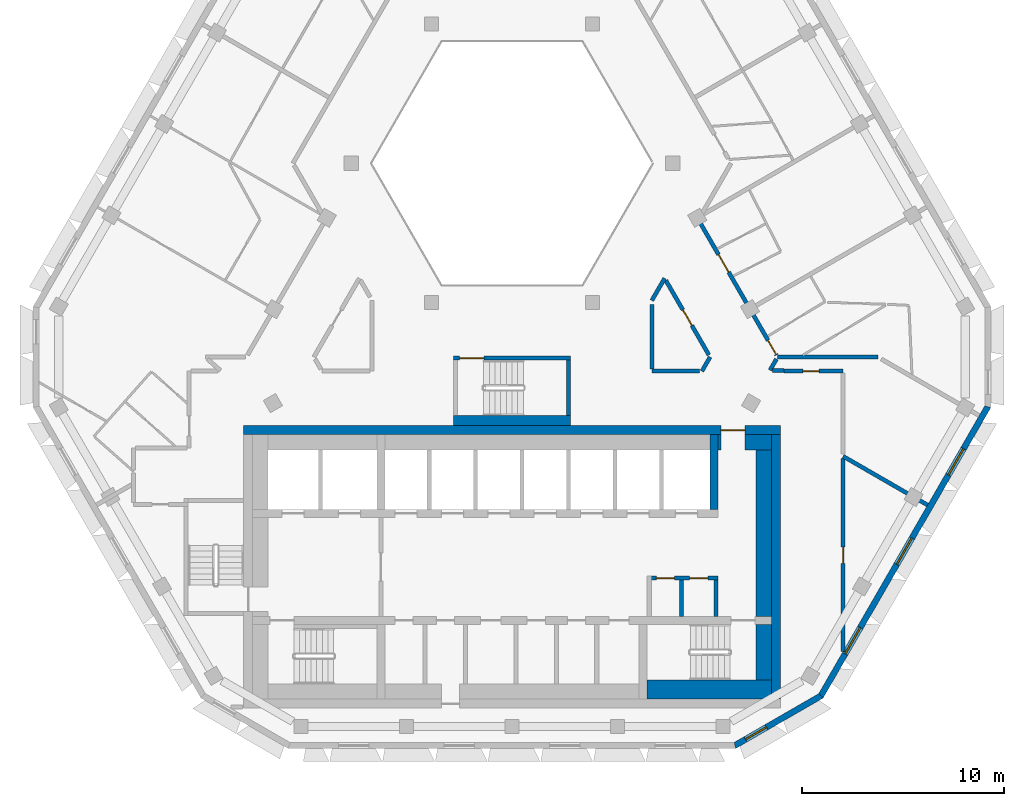
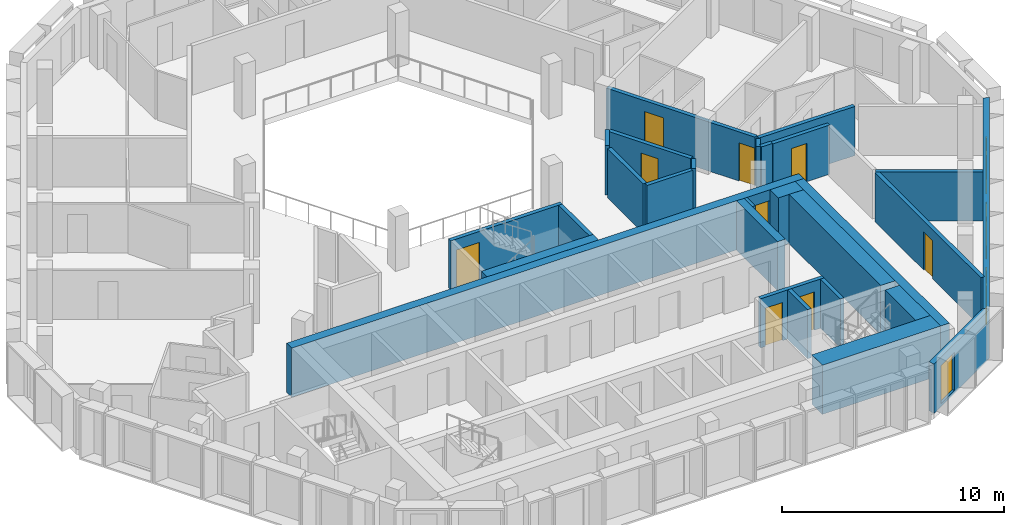
# One storey, part 5 of 14: 28 walls, 9 doors, 4 windows, 13 openings.
"""IFC4 building model written with IfcOpenShell, lengths in metres."""

from ifc_helpers import new_model, si_unit, direction, frame, frame_2d, origin, place, context, subcontext, project, spatial, polyline, rectangle, outline, extrude, material, layer, layer_set, type_object, element, fill, save


model = new_model("IFC4")

# Units and contexts
model_context = context("Model", 3, precision=1e-05, world=origin(), true_north=direction((0.0, 1.0)))
body_context = subcontext(model_context, "Body", "Model", "MODEL_VIEW")
ifc_project = project(units=[si_unit("LENGTHUNIT", "METRE"), si_unit("AREAUNIT", "SQUARE_METRE"), si_unit("VOLUMEUNIT", "CUBIC_METRE"), si_unit("PLANEANGLEUNIT", "RADIAN"), si_unit("MASSUNIT", "GRAM", prefix="KILO")], contexts=[model_context])

# Site, building, storey
site_placement = place(None, origin())
site = spatial("IfcSite", under=ifc_project, at=site_placement, CompositionType="ELEMENT")
building_placement = place(site_placement, origin())
building = spatial("IfcBuilding", under=site, at=building_placement, Name="Beryl Residences", CompositionType="ELEMENT")
storey_placement = place(building_placement, frame((0.0, 0.0, 229.800048828125)))
storey = spatial("IfcBuildingStorey", under=building, at=storey_placement, Name="L71", CompositionType="ELEMENT", Elevation=229.800048828125)

# Wall, opening, window
ifc_material_1 = material(Name="Composite metal panel with mineral wool insulation")
ifc_layer_1 = layer(ifc_material_1, 0.300048828125)
ifc_layer_set_1 = layer_set([ifc_layer_1], Name="ES1 pale metal composite panel wall 300 mm")
wall_type_1 = type_object("IfcWallType", Name="ES1 pale metal composite panel wall 300 mm", PredefinedType="SOLIDWALL", material=ifc_layer_set_1)
wall_1_placement = place(storey_placement, frame((11.010009765625, -20.8701171875, 0.0), z_axis=(0.0, 0.0, 1.0), x_axis=(0.866022959057, 0.500004234368, 0.0)))
wall_1 = element("IfcWall", 1, at=wall_1_placement, inside=storey, type_object=wall_type_1, Name="ES1 external wall L71 S-SE", PredefinedType="SOLIDWALL", context=body_context, shape_type="SweptSolid", body=[
    extrude(outline(polyline([(0.0, -0.14990234375), (5.0, -0.14990234375), (4.919677734375, 0.14990234375), (0.080322265625, 0.14990234375), (0.0, -0.14990234375)])), origin(), (0.0, 0.0, 1.0), 2.699951171875),
])
opening_1_placement = place(wall_1_placement, frame((0.64990234375, 0.0, 0.14990234375)))
opening_1 = element("IfcOpeningElement", 2, at=opening_1_placement, cuts=wall_1, Name="Opening W2", PredefinedType="OPENING", context=body_context, shape_type="SweptSolid", body=[
    extrude(rectangle(XDim=1.199951171875, YDim=2.10009765625, at=frame_2d((0.60009765625, 1.050048828125))), frame((0.0, 0.159912109375, 0.0), z_axis=(0.0, -1.0, 0.0), x_axis=(1.0, 0.0, 0.0)), (0.0, 0.0, 1.0), 0.320068359375),
])
ifc_material_2 = material(Name="Aluminium and clear glass", Category="aluminium")
window_type_1 = type_object("IfcWindowType", Name="W2 chamfer window 1200 x 2100 mm", PartitioningType="SINGLE_PANEL", PredefinedType="WINDOW", material=ifc_material_2)
window_1_placement = place(opening_1_placement, origin())
window_1 = element("IfcWindow", 3, at=window_1_placement, inside=storey, type_object=window_type_1, Name="W2 window L71 S-SE 1", OverallHeight=2.10009765625, OverallWidth=1.199951171875, PartitioningType="SINGLE_PANEL", PredefinedType="WINDOW", context=body_context, shape_type="SweptSolid", body=[
    extrude(rectangle(XDim=1.199951171875, YDim=2.10009765625, at=frame_2d((0.60009765625, 1.050048828125))), frame((0.0, 0.030029296875, 0.0), z_axis=(0.0, -1.0, 0.0), x_axis=(1.0, 0.0, 0.0)), (0.0, 0.0, 1.0), 0.06005859375),
])
fill(opening_1, window_1)

# Wall, openings, windows
wall_2_placement = place(storey_placement, frame((15.284912109375, -18.425048828125, 0.0), z_axis=(0.0, 0.0, 1.0), x_axis=(0.500012653391, 0.866018098222, 0.0)))
wall_2 = element("IfcWall", 4, at=wall_2_placement, inside=storey, type_object=wall_type_1, Name="ES1 external wall L71 SE", PredefinedType="SOLIDWALL", context=body_context, shape_type="SweptSolid", body=[
    extrude(outline(polyline([(0.0, -0.14990234375), (16.6279296875, -0.14990234375), (16.547607421875, 0.14990234375), (0.080322265625, 0.14990234375), (0.0, -0.14990234375)])), origin(), (0.0, 0.0, 1.0), 2.699951171875),
])
opening_2_placement = place(wall_2_placement, frame((2.444091796875, 0.0, 0.14990234375)))
opening_2 = element("IfcOpeningElement", 5, at=opening_2_placement, cuts=wall_2, Name="Opening W1", PredefinedType="OPENING", context=body_context, shape_type="SweptSolid", body=[
    extrude(rectangle(XDim=1.5, YDim=2.10009765625, at=frame_2d((0.75, 1.050048828125))), frame((0.0, 0.159912109375, 0.0), z_axis=(0.0, -1.0, 0.0), x_axis=(1.0, 0.0, 0.0)), (0.0, 0.0, 1.0), 0.320068359375),
])
opening_3_placement = place(wall_2_placement, frame((7.56396484375, 0.0, 0.14990234375)))
opening_3 = element("IfcOpeningElement", 6, at=opening_3_placement, cuts=wall_2, Name="Opening W1", PredefinedType="OPENING", context=body_context, shape_type="SweptSolid", body=[
    extrude(rectangle(XDim=1.5, YDim=2.10009765625, at=frame_2d((0.75, 1.050048828125))), frame((0.0, 0.159912109375, 0.0), z_axis=(0.0, -1.0, 0.0), x_axis=(1.0, 0.0, 0.0)), (0.0, 0.0, 1.0), 0.320068359375),
])
opening_4_placement = place(wall_2_placement, frame((12.681884765625, 0.0, 0.14990234375)))
opening_4 = element("IfcOpeningElement", 7, at=opening_4_placement, cuts=wall_2, Name="Opening W1", PredefinedType="OPENING", context=body_context, shape_type="SweptSolid", body=[
    extrude(rectangle(XDim=1.5, YDim=2.10009765625, at=frame_2d((0.75, 1.050048828125))), frame((0.0, 0.159912109375, 0.0), z_axis=(0.0, -1.0, 0.0), x_axis=(1.0, 0.0, 0.0)), (0.0, 0.0, 1.0), 0.320068359375),
])
ifc_material_3 = material(Name="Aluminium and clear glass", Category="aluminium")
window_type_2 = type_object("IfcWindowType", Name="W1 cell window 1500 x 2100 mm", PartitioningType="SINGLE_PANEL", PredefinedType="WINDOW", material=ifc_material_3)
window_2_placement = place(opening_2_placement, origin())
window_2 = element("IfcWindow", 8, at=window_2_placement, inside=storey, type_object=window_type_2, Name="W1 window L71 SE 2", OverallHeight=2.10009765625, OverallWidth=1.5, PartitioningType="SINGLE_PANEL", PredefinedType="WINDOW", context=body_context, shape_type="SweptSolid", body=[
    extrude(rectangle(XDim=1.5, YDim=2.10009765625, at=frame_2d((0.75, 1.050048828125))), frame((0.0, 0.030029296875, 0.0), z_axis=(0.0, -1.0, 0.0), x_axis=(1.0, 0.0, 0.0)), (0.0, 0.0, 1.0), 0.06005859375),
])
fill(opening_2, window_2)
window_3_placement = place(opening_3_placement, origin())
window_3 = element("IfcWindow", 9, at=window_3_placement, inside=storey, type_object=window_type_2, Name="W1 window L71 SE 4", OverallHeight=2.10009765625, OverallWidth=1.5, PartitioningType="SINGLE_PANEL", PredefinedType="WINDOW", context=body_context, shape_type="SweptSolid", body=[
    extrude(rectangle(XDim=1.5, YDim=2.10009765625, at=frame_2d((0.75, 1.050048828125))), frame((0.0, 0.030029296875, 0.0), z_axis=(0.0, -1.0, 0.0), x_axis=(1.0, 0.0, 0.0)), (0.0, 0.0, 1.0), 0.06005859375),
])
fill(opening_3, window_3)
window_4_placement = place(opening_4_placement, origin())
window_4 = element("IfcWindow", 10, at=window_4_placement, inside=storey, type_object=window_type_2, Name="W1 window L71 SE 6", OverallHeight=2.10009765625, OverallWidth=1.5, PartitioningType="SINGLE_PANEL", PredefinedType="WINDOW", context=body_context, shape_type="SweptSolid", body=[
    extrude(rectangle(XDim=1.5, YDim=2.10009765625, at=frame_2d((0.75, 1.050048828125))), frame((0.0, 0.030029296875, 0.0), z_axis=(0.0, -1.0, 0.0), x_axis=(1.0, 0.0, 0.0)), (0.0, 0.0, 1.0), 0.06005859375),
])
fill(opening_4, window_4)

# Wall, openings, doors
ifc_material_4 = material(Name="Concrete masonry", Category="masonry")
ifc_layer_2 = layer(ifc_material_4, 0.199951171875)
ifc_layer_set_2 = layer_set([ifc_layer_2], Name="PT13 lobby wall 200 mm")
wall_type_2 = type_object("IfcWallType", Name="PT13 lobby wall 200 mm", PredefinedType="PARTITIONING", material=ifc_layer_set_2)
wall_3_placement = place(storey_placement, frame((6.89990234375, -12.550048828125, 0.0), z_axis=(0.0, 0.0, 1.0), x_axis=(1.0, 0.0, 0.0)))
wall_3 = element("IfcWall", 11, at=wall_3_placement, inside=storey, type_object=wall_type_2, Name="Lobby wall 28", PredefinedType="PARTITIONING", context=body_context, shape_type="SweptSolid", body=[
    extrude(rectangle(XDim=3.300048828125, YDim=0.199951171875, at=frame_2d((1.64990234375, 0.0))), origin(), (0.0, 0.0, 1.0), 2.699951171875),
])
opening_5_placement = place(wall_3_placement, frame((1.14990234375, 0.0, 0.0), z_axis=(0.0, 0.0, 1.0), x_axis=(-1.0, 0.0, 0.0)))
opening_5 = element("IfcOpeningElement", 12, at=opening_5_placement, cuts=wall_3, Name="Opening CD-D-A1-900", PredefinedType="OPENING", context=body_context, shape_type="SweptSolid", body=[
    extrude(rectangle(XDim=0.89990234375, YDim=2.10009765625, at=frame_2d((0.449951171875, 1.050048828125))), frame((0.0, 0.10986328125, 0.0), z_axis=(0.0, -1.0, 0.0), x_axis=(1.0, 0.0, 0.0)), (0.0, 0.0, 1.0), 0.219970703125),
])
opening_6_placement = place(wall_3_placement, frame((2.7998046875, 0.0, 0.0), z_axis=(0.0, 0.0, 1.0), x_axis=(-1.0, 0.0, 0.0)))
opening_6 = element("IfcOpeningElement", 13, at=opening_6_placement, cuts=wall_3, Name="Opening CD-D-A2-900", PredefinedType="OPENING", context=body_context, shape_type="SweptSolid", body=[
    extrude(rectangle(XDim=0.89990234375, YDim=2.10009765625, at=frame_2d((0.449951171875, 1.050048828125))), frame((0.0, 0.10986328125, 0.0), z_axis=(0.0, -1.0, 0.0), x_axis=(1.0, 0.0, 0.0)), (0.0, 0.0, 1.0), 0.219970703125),
])
ifc_material_5 = material(Name="Steel door leaf in steel frame", Category="steel")
door_type_1 = type_object("IfcDoorType", Name="D6 service room door 900 x 2100 mm", OperationType="SINGLE_SWING_LEFT", PredefinedType="DOOR", material=ifc_material_5)
door_1_placement = place(opening_5_placement, origin())
door_1 = element("IfcDoor", 14, at=door_1_placement, inside=storey, type_object=door_type_1, Name="Door CD-D-A1-900 L71 001", OperationType="SINGLE_SWING_RIGHT", OverallHeight=2.10009765625, OverallWidth=0.89990234375, PredefinedType="DOOR", context=body_context, shape_type="SweptSolid", body=[
    extrude(rectangle(XDim=0.89990234375, YDim=2.10009765625, at=frame_2d((0.449951171875, 1.050048828125))), frame((0.0, 0.02490234375, 0.0), z_axis=(0.0, -1.0, 0.0), x_axis=(1.0, 0.0, 0.0)), (0.0, 0.0, 1.0), 0.050048828125),
])
fill(opening_5, door_1)
door_2_placement = place(opening_6_placement, origin())
door_2 = element("IfcDoor", 15, at=door_2_placement, inside=storey, type_object=door_type_1, Name="Door CD-D-A2-900 L71 001", OperationType="SINGLE_SWING_LEFT", OverallHeight=2.10009765625, OverallWidth=0.89990234375, PredefinedType="DOOR", context=body_context, shape_type="SweptSolid", body=[
    extrude(rectangle(XDim=0.89990234375, YDim=2.10009765625, at=frame_2d((0.449951171875, 1.050048828125))), frame((0.0, 0.02490234375, 0.0), z_axis=(0.0, -1.0, 0.0), x_axis=(1.0, 0.0, 0.0)), (0.0, 0.0, 1.0), 0.050048828125),
])
fill(opening_6, door_2)

# Walls
wall_4_placement = place(storey_placement, frame((10.10009765625, -14.449951171875, 0.0), z_axis=(0.0, 0.0, 1.0), x_axis=(0.0, 1.0, 0.0)))
element("IfcWall", 16, at=wall_4_placement, inside=storey, type_object=wall_type_2, Name="Lobby wall 31", PredefinedType="PARTITIONING", context=body_context, shape_type="SweptSolid", body=[
    extrude(rectangle(XDim=1.800048828125, YDim=0.199951171875, at=frame_2d((0.89990234375, 0.0))), origin(), (0.0, 0.0, 1.0), 2.699951171875),
])
ifc_material_6 = material(Name="Concrete masonry", Category="masonry")
ifc_layer_3 = layer(ifc_material_6, 0.14990234375)
ifc_layer_set_3 = layer_set([ifc_layer_3], Name="PT13-150 lobby wall 150 mm")
wall_type_3 = type_object("IfcWallType", Name="PT13-150 lobby wall 150 mm", PredefinedType="PARTITIONING", material=ifc_layer_set_3)
wall_5_placement = place(storey_placement, frame((10.27490234375, -6.199951171875, 0.0), z_axis=(0.0, 0.0, 1.0), x_axis=(0.0, 1.0, 0.0)))
element("IfcWall", 17, at=wall_5_placement, inside=storey, type_object=wall_type_3, Name="Lobby wall 32", PredefinedType="PARTITIONING", context=body_context, shape_type="SweptSolid", body=[
    extrude(rectangle(XDim=0.75, YDim=0.14990234375, at=frame_2d((0.375, 0.0))), origin(), (0.0, 0.0, 1.0), 2.699951171875),
])
ifc_material_7 = material(Name="Concrete masonry", Category="masonry")
ifc_layer_4 = layer(ifc_material_7, 0.75)
ifc_layer_set_4 = layer_set([ifc_layer_4], Name="PT13-750 lobby wall 750 mm")
wall_type_4 = type_object("IfcWallType", Name="PT13-750 lobby wall 750 mm", PredefinedType="PARTITIONING", material=ifc_layer_set_4)
wall_6_placement = place(storey_placement, frame((11.550048828125, -5.824951171875, 0.0), z_axis=(0.0, 0.0, 1.0), x_axis=(1.0, 0.0, 0.0)))
element("IfcWall", 18, at=wall_6_placement, inside=storey, type_object=wall_type_4, Name="Lobby wall 33", PredefinedType="PARTITIONING", context=body_context, shape_type="SweptSolid", body=[
    extrude(rectangle(XDim=1.300048828125, YDim=0.75, at=frame_2d((0.64990234375, 0.0))), origin(), (0.0, 0.0, 1.0), 2.699951171875),
])
wall_7_placement = place(storey_placement, frame((12.47509765625, -14.449951171875, 0.0), z_axis=(0.0, 0.0, 1.0), x_axis=(0.0, 1.0, 0.0)))
element("IfcWall", 19, at=wall_7_placement, inside=storey, type_object=wall_type_4, Name="Lobby wall 35", PredefinedType="PARTITIONING", context=body_context, shape_type="SweptSolid", body=[
    extrude(rectangle(XDim=8.25, YDim=0.75, at=frame_2d((4.125, 0.0))), origin(), (0.0, 0.0, 1.0), 2.699951171875),
])
ifc_material_8 = material(Name="Acoustic double stud gypsum board wall")
ifc_layer_5 = layer(ifc_material_8, 0.199951171875)
ifc_layer_set_5 = layer_set([ifc_layer_5], Name="PT3 party wall 200 mm acoustic double stud")
wall_type_5 = type_object("IfcWallType", Name="PT3 party wall 200 mm acoustic double stud", PredefinedType="PARTITIONING", material=ifc_layer_set_5)
wall_8_placement = place(storey_placement, frame((16.407958984375, -6.51904296875, 0.0), z_axis=(0.0, 0.0, 1.0), x_axis=(0.866032396701, -0.499987887718, 0.0)))
element("IfcWall", 20, at=wall_8_placement, inside=storey, type_object=wall_type_5, Name="Wall PT3 L71 003", PredefinedType="PARTITIONING", context=body_context, shape_type="SweptSolid", body=[
    extrude(rectangle(XDim=4.830078125, YDim=0.199951171875, at=frame_2d((2.4150390625, 0.0))), origin(), (0.0, 0.0, 1.0), 2.699951171875),
])
wall_9_placement = place(storey_placement, frame((13.1630859375, -1.59912109375, 0.0), z_axis=(0.0, 0.0, 1.0), x_axis=(1.0, 0.0, 0.0)))
element("IfcWall", 21, at=wall_9_placement, inside=storey, type_object=wall_type_5, Name="Wall PT3 L71 006", PredefinedType="PARTITIONING", context=body_context, shape_type="SweptSolid", body=[
    extrude(rectangle(XDim=4.9619140625, YDim=0.199951171875, at=frame_2d((2.48095703125, 0.0))), origin(), (0.0, 0.0, 1.0), 2.699951171875),
])

# Wall, opening, door
ifc_material_9 = material(Name="Double stud gypsum board wall")
ifc_layer_6 = layer(ifc_material_9, 0.199951171875)
ifc_layer_set_6 = layer_set([ifc_layer_6], Name="PT4 corridor wall 200 mm double stud")
wall_type_6 = type_object("IfcWallType", Name="PT4 corridor wall 200 mm double stud", PredefinedType="PARTITIONING", material=ifc_layer_set_6)
wall_10_placement = place(storey_placement, frame((7.6220703125, 2.198974609375, 0.0), z_axis=(0.0, 0.0, 1.0), x_axis=(0.499994660107, -0.866028486751, 0.0)))
wall_10 = element("IfcWall", 22, at=wall_10_placement, inside=storey, type_object=wall_type_6, Name="Wall PT4 L71 004", PredefinedType="PARTITIONING", context=body_context, shape_type="SweptSolid", body=[
    extrude(rectangle(XDim=4.27001953125, YDim=0.199951171875, at=frame_2d((2.135009765625, 0.0))), origin(), (0.0, 0.0, 1.0), 2.699951171875),
])
opening_7_placement = place(wall_10_placement, frame((1.68505859375, 0.0, 0.0)))
opening_7 = element("IfcOpeningElement", 23, at=opening_7_placement, cuts=wall_10, Name="Opening D2235", PredefinedType="OPENING", context=body_context, shape_type="SweptSolid", body=[
    extrude(rectangle(XDim=0.89990234375, YDim=2.10009765625, at=frame_2d((0.449951171875, 1.050048828125))), frame((0.0, 0.10986328125, 0.0), z_axis=(0.0, -1.0, 0.0), x_axis=(1.0, 0.0, 0.0)), (0.0, 0.0, 1.0), 0.219970703125),
])
ifc_material_10 = material(Name="Timber door leaf", Category="wood")
door_type_2 = type_object("IfcDoorType", Name="D2 room door 900 x 2100 mm", OperationType="SINGLE_SWING_LEFT", PredefinedType="DOOR", material=ifc_material_10)
door_3_placement = place(opening_7_placement, origin())
door_3 = element("IfcDoor", 24, at=door_3_placement, inside=storey, type_object=door_type_2, Name="Door D2235 L71 001", OperationType="SINGLE_SWING_LEFT", OverallHeight=2.10009765625, OverallWidth=0.89990234375, PredefinedType="DOOR", context=body_context, shape_type="SweptSolid", body=[
    extrude(rectangle(XDim=0.89990234375, YDim=2.10009765625, at=frame_2d((0.449951171875, 1.050048828125))), frame((0.0, 0.02490234375, 0.0), z_axis=(0.0, -1.0, 0.0), x_axis=(1.0, 0.0, 0.0)), (0.0, 0.0, 1.0), 0.050048828125),
])
fill(opening_7, door_3)

# Wall, openings, doors
wall_11_placement = place(storey_placement, frame((9.238037109375, 5.199951171875, 0.0), z_axis=(0.0, 0.0, 1.0), x_axis=(0.500025705601, -0.86601056214, 0.0)))
wall_11 = element("IfcWall", 25, at=wall_11_placement, inside=storey, type_object=wall_type_6, Name="Wall PT4 L71 005", PredefinedType="PARTITIONING", context=body_context, shape_type="SweptSolid", body=[
    extrude(rectangle(XDim=7.7353515625, YDim=0.199951171875, at=frame_2d((3.86767578125, 0.0))), origin(), (0.0, 0.0, 1.0), 2.699951171875),
])
opening_8_placement = place(wall_11_placement, frame((6.89794921875, 0.0, 0.0)))
opening_8 = element("IfcOpeningElement", 26, at=opening_8_placement, cuts=wall_11, Name="Opening D2223", PredefinedType="OPENING", context=body_context, shape_type="SweptSolid", body=[
    extrude(rectangle(XDim=0.800048828125, YDim=2.10009765625, at=frame_2d((0.39990234375, 1.050048828125))), frame((0.0, 0.10986328125, 0.0), z_axis=(0.0, -1.0, 0.0), x_axis=(1.0, 0.0, 0.0)), (0.0, 0.0, 1.0), 0.219970703125),
])
opening_9_placement = place(wall_11_placement, frame((1.988037109375, 0.0, 0.0)))
opening_9 = element("IfcOpeningElement", 27, at=opening_9_placement, cuts=wall_11, Name="Opening D2227", PredefinedType="OPENING", context=body_context, shape_type="SweptSolid", body=[
    extrude(rectangle(XDim=1.0, YDim=2.10009765625, at=frame_2d((0.5, 1.050048828125))), frame((0.0, 0.10986328125, 0.0), z_axis=(0.0, -1.0, 0.0), x_axis=(1.0, 0.0, 0.0)), (0.0, 0.0, 1.0), 0.219970703125),
])
ifc_material_11 = material(Name="Timber door leaf", Category="wood")
door_type_3 = type_object("IfcDoorType", Name="D1 flat entrance door 1000 x 2100 mm", OperationType="SINGLE_SWING_LEFT", PredefinedType="DOOR", material=ifc_material_11)
door_4_placement = place(opening_9_placement, origin())
door_4 = element("IfcDoor", 28, at=door_4_placement, inside=storey, type_object=door_type_3, Name="Door D2227 L71 001", OperationType="SINGLE_SWING_LEFT", OverallHeight=2.10009765625, OverallWidth=1.0, PredefinedType="DOOR", context=body_context, shape_type="SweptSolid", body=[
    extrude(rectangle(XDim=1.0, YDim=2.10009765625, at=frame_2d((0.5, 1.050048828125))), frame((0.0, 0.02490234375, 0.0), z_axis=(0.0, -1.0, 0.0), x_axis=(1.0, 0.0, 0.0)), (0.0, 0.0, 1.0), 0.050048828125),
])
fill(opening_9, door_4)
ifc_material_12 = material(Name="Timber door leaf", Category="wood")
door_type_4 = type_object("IfcDoorType", Name="D12 flat entrance door 800 x 2100 mm", OperationType="SINGLE_SWING_LEFT", PredefinedType="DOOR", material=ifc_material_12)
door_5_placement = place(opening_8_placement, origin())
door_5 = element("IfcDoor", 29, at=door_5_placement, inside=storey, type_object=door_type_4, Name="Door D2223 L71 001", OperationType="SINGLE_SWING_LEFT", OverallHeight=2.10009765625, OverallWidth=0.800048828125, PredefinedType="DOOR", context=body_context, shape_type="SweptSolid", body=[
    extrude(rectangle(XDim=0.800048828125, YDim=2.10009765625, at=frame_2d((0.39990234375, 1.050048828125))), frame((0.0, 0.02490234375, 0.0), z_axis=(0.0, -1.0, 0.0), x_axis=(1.0, 0.0, 0.0)), (0.0, 0.0, 1.0), 0.050048828125),
])
fill(opening_8, door_5)

# Walls
wall_12_placement = place(storey_placement, frame((6.927978515625, 1.0, 0.0), z_axis=(0.0, 0.0, 1.0), x_axis=(0.0, -1.0, 0.0)))
element("IfcWall", 30, at=wall_12_placement, inside=storey, type_object=wall_type_6, Name="Wall PT4 L71 008", PredefinedType="PARTITIONING", context=body_context, shape_type="SweptSolid", body=[
    extrude(rectangle(XDim=3.198974609375, YDim=0.199951171875, at=frame_2d((1.599609375, 0.0))), origin(), (0.0, 0.0, 1.0), 2.699951171875),
])
wall_13_placement = place(storey_placement, frame((12.902099609375, -2.256103515625, 0.0), z_axis=(0.0, 0.0, 1.0), x_axis=(1.0, 0.0, 0.0)))
element("IfcWall", 31, at=wall_13_placement, inside=storey, type_object=wall_type_6, Name="Wall PT4 L71 012", PredefinedType="PARTITIONING", context=body_context, shape_type="SweptSolid", body=[
    extrude(rectangle(XDim=0.57080078125, YDim=0.199951171875, at=frame_2d((0.285400390625, 0.0))), origin(), (0.0, 0.0, 1.0), 2.699951171875),
])
wall_14_placement = place(storey_placement, frame((6.928955078125, -2.300048828125, 0.0), z_axis=(0.0, 0.0, 1.0), x_axis=(1.0, 0.0, 0.0)))
element("IfcWall", 32, at=wall_14_placement, inside=storey, type_object=wall_type_6, Name="Wall PT4 L71 015", PredefinedType="PARTITIONING", context=body_context, shape_type="SweptSolid", body=[
    extrude(rectangle(XDim=2.364990234375, YDim=0.199951171875, at=frame_2d((1.1826171875, 0.0))), origin(), (0.0, 0.0, 1.0), 2.699951171875),
])

# Wall, opening, door
wall_15_placement = place(storey_placement, frame((13.47412109375, -2.300048828125, 0.0), z_axis=(0.0, 0.0, 1.0), x_axis=(1.0, 0.0, 0.0)))
wall_15 = element("IfcWall", 33, at=wall_15_placement, inside=storey, type_object=wall_type_6, Name="Wall PT4 L71 016", PredefinedType="PARTITIONING", context=body_context, shape_type="SweptSolid", body=[
    extrude(rectangle(XDim=2.933837890625, YDim=0.199951171875, at=frame_2d((1.466796875, 0.0))), origin(), (0.0, 0.0, 1.0), 2.699951171875),
])
opening_10_placement = place(wall_15_placement, frame((0.94189453125, 0.0, 0.0)))
opening_10 = element("IfcOpeningElement", 34, at=opening_10_placement, cuts=wall_15, Name="Opening D2222", PredefinedType="OPENING", context=body_context, shape_type="SweptSolid", body=[
    extrude(rectangle(XDim=0.800048828125, YDim=2.10009765625, at=frame_2d((0.39990234375, 1.050048828125))), frame((0.0, 0.10986328125, 0.0), z_axis=(0.0, -1.0, 0.0), x_axis=(1.0, 0.0, 0.0)), (0.0, 0.0, 1.0), 0.219970703125),
])
ifc_material_13 = material(Name="Timber door leaf", Category="wood")
door_type_5 = type_object("IfcDoorType", Name="D3 bathroom door 800 x 2100 mm", OperationType="SINGLE_SWING_LEFT", PredefinedType="DOOR", material=ifc_material_13)
door_6_placement = place(opening_10_placement, origin())
door_6 = element("IfcDoor", 35, at=door_6_placement, inside=storey, type_object=door_type_5, Name="Door D2222 L71 001", OperationType="SINGLE_SWING_RIGHT", OverallHeight=2.10009765625, OverallWidth=0.800048828125, PredefinedType="DOOR", context=body_context, shape_type="SweptSolid", body=[
    extrude(rectangle(XDim=0.800048828125, YDim=2.10009765625, at=frame_2d((0.39990234375, 1.050048828125))), frame((0.0, 0.02490234375, 0.0), z_axis=(0.0, -1.0, 0.0), x_axis=(1.0, 0.0, 0.0)), (0.0, 0.0, 1.0), 0.050048828125),
])
fill(opening_10, door_6)

# Walls
wall_16_placement = place(storey_placement, frame((6.927978515625, 1.199951171875, 0.0), z_axis=(0.0, 0.0, 1.0), x_axis=(0.500255167297, 0.865878032746, 0.0)))
element("IfcWall", 36, at=wall_16_placement, inside=storey, type_object=wall_type_6, Name="Wall PT4 L71 018", PredefinedType="PARTITIONING", context=body_context, shape_type="SweptSolid", body=[
    extrude(rectangle(XDim=1.269287109375, YDim=0.199951171875, at=frame_2d((0.634765625, 0.0))), origin(), (0.0, 0.0, 1.0), 2.699951171875),
])
wall_17_placement = place(storey_placement, frame((9.410888671875, -2.300048828125, 0.0), z_axis=(0.0, 0.0, 1.0), x_axis=(0.499940363534, 0.866059832176, 0.0)))
element("IfcWall", 37, at=wall_17_placement, inside=storey, type_object=wall_type_6, Name="Wall PT4 L71 020", PredefinedType="PARTITIONING", context=body_context, shape_type="SweptSolid", body=[
    extrude(rectangle(XDim=0.80810546875, YDim=0.199951171875, at=frame_2d((0.404052734375, 0.0))), origin(), (0.0, 0.0, 1.0), 2.699951171875),
])
wall_18_placement = place(storey_placement, frame((12.784912109375, -2.25390625, 0.0), z_axis=(0.0, 0.0, 1.0), x_axis=(0.500766044352, 0.865582675903, 0.0)))
element("IfcWall", 38, at=wall_18_placement, inside=storey, type_object=wall_type_6, Name="Wall PT4 L71 021", PredefinedType="PARTITIONING", context=body_context, shape_type="SweptSolid", body=[
    extrude(rectangle(XDim=0.64111328125, YDim=0.199951171875, at=frame_2d((0.320556640625, 0.0))), origin(), (0.0, 0.0, 1.0), 2.699951171875),
])

# Wall, opening, door
wall_19_placement = place(storey_placement, frame((16.407958984375, -16.178955078125, 0.0), z_axis=(0.0, 0.0, 1.0), x_axis=(0.0, 1.0, 0.0)))
wall_19 = element("IfcWall", 39, at=wall_19_placement, inside=storey, type_object=wall_type_6, Name="Wall PT4 L71 025", PredefinedType="PARTITIONING", context=body_context, shape_type="SweptSolid", body=[
    extrude(rectangle(XDim=9.5439453125, YDim=0.199951171875, at=frame_2d((4.77197265625, 0.0))), origin(), (0.0, 0.0, 1.0), 2.699951171875),
])
opening_11_placement = place(wall_19_placement, frame((4.35791015625, 0.0, 0.0)))
opening_11 = element("IfcOpeningElement", 40, at=opening_11_placement, cuts=wall_19, Name="Opening D2221", PredefinedType="OPENING", context=body_context, shape_type="SweptSolid", body=[
    extrude(rectangle(XDim=0.800048828125, YDim=2.10009765625, at=frame_2d((0.39990234375, 1.050048828125))), frame((0.0, 0.10986328125, 0.0), z_axis=(0.0, -1.0, 0.0), x_axis=(1.0, 0.0, 0.0)), (0.0, 0.0, 1.0), 0.219970703125),
])
door_7_placement = place(opening_11_placement, origin())
door_7 = element("IfcDoor", 41, at=door_7_placement, inside=storey, type_object=door_type_5, Name="Door D2221 L71 001", OperationType="SINGLE_SWING_LEFT", OverallHeight=2.10009765625, OverallWidth=0.800048828125, PredefinedType="DOOR", context=body_context, shape_type="SweptSolid", body=[
    extrude(rectangle(XDim=0.800048828125, YDim=2.10009765625, at=frame_2d((0.39990234375, 1.050048828125))), frame((0.0, 0.02490234375, 0.0), z_axis=(0.0, -1.0, 0.0), x_axis=(1.0, 0.0, 0.0)), (0.0, 0.0, 1.0), 0.050048828125),
])
fill(opening_11, door_7)

ifc_material_14 = material(Name="Concrete C40/50", Category="concrete")
ifc_layer_7 = layer(ifc_material_14, 0.199951171875)
ifc_layer_set_7 = layer_set([ifc_layer_7], Name="PT5 stair enclosure wall 200 mm reinforced concrete C40/50")
wall_type_7 = type_object("IfcWallType", Name="PT5 stair enclosure wall 200 mm reinforced concrete C40/50", PredefinedType="SOLIDWALL", material=ifc_layer_set_7)
wall_20_placement = place(storey_placement, frame((-2.89990234375, -1.64990234375, 0.0), z_axis=(0.0, 0.0, 1.0), x_axis=(1.0, 0.0, 0.0)))
wall_20 = element("IfcWall", 42, at=wall_20_placement, inside=storey, type_object=wall_type_7, Name="Wall PT5 L71 001", PredefinedType="SOLIDWALL", context=body_context, shape_type="SweptSolid", body=[
    extrude(rectangle(XDim=5.7998046875, YDim=0.199951171875, at=frame_2d((2.89990234375, 0.0))), origin(), (0.0, 0.0, 1.0), 2.699951171875),
])
opening_12_placement = place(wall_20_placement, frame((0.300048828125, 0.0, 0.0)))
opening_12 = element("IfcOpeningElement", 43, at=opening_12_placement, cuts=wall_20, Name="Opening DS04", PredefinedType="OPENING", context=body_context, shape_type="SweptSolid", body=[
    extrude(rectangle(XDim=1.199951171875, YDim=2.10009765625, at=frame_2d((0.60009765625, 1.050048828125))), frame((0.0, 0.10986328125, 0.0), z_axis=(0.0, -1.0, 0.0), x_axis=(1.0, 0.0, 0.0)), (0.0, 0.0, 1.0), 0.219970703125),
])
ifc_material_15 = material(Name="Steel door leaf in steel frame", Category="steel")
door_type_6 = type_object("IfcDoorType", Name="D4 stair door 1200 x 2100 mm", OperationType="SINGLE_SWING_LEFT", PredefinedType="DOOR", material=ifc_material_15)
door_8_placement = place(opening_12_placement, origin())
door_8 = element("IfcDoor", 44, at=door_8_placement, inside=storey, type_object=door_type_6, Name="Door DS04 L71 001", OperationType="SINGLE_SWING_LEFT", OverallHeight=2.10009765625, OverallWidth=1.199951171875, PredefinedType="DOOR", context=body_context, shape_type="SweptSolid", body=[
    extrude(rectangle(XDim=1.199951171875, YDim=2.10009765625, at=frame_2d((0.60009765625, 1.050048828125))), frame((0.0, 0.02490234375, 0.0), z_axis=(0.0, -1.0, 0.0), x_axis=(1.0, 0.0, 0.0)), (0.0, 0.0, 1.0), 0.050048828125),
])
fill(opening_12, door_8)

# Walls
wall_21_placement = place(storey_placement, frame((2.800048828125, -4.5, 0.0), z_axis=(0.0, 0.0, 1.0), x_axis=(0.0, 1.0, 0.0)))
element("IfcWall", 45, at=wall_21_placement, inside=storey, type_object=wall_type_7, Name="Wall PT5 L71 003", PredefinedType="SOLIDWALL", context=body_context, shape_type="SweptSolid", body=[
    extrude(rectangle(XDim=2.75, YDim=0.199951171875, at=frame_2d((1.375, 0.0))), origin(), (0.0, 0.0, 1.0), 2.699951171875),
])
ifc_material_16 = material(Name="Concrete C40/50", Category="concrete")
ifc_layer_8 = layer(ifc_material_16, 0.5)
ifc_layer_set_8 = layer_set([ifc_layer_8], Name="PT5-500 stair enclosure wall 500 mm")
wall_type_8 = type_object("IfcWallType", Name="PT5-500 stair enclosure wall 500 mm", PredefinedType="SOLIDWALL", material=ifc_layer_set_8)
wall_22_placement = place(storey_placement, frame((-2.89990234375, -4.75, 0.0), z_axis=(0.0, 0.0, 1.0), x_axis=(1.0, 0.0, 0.0)))
element("IfcWall", 46, at=wall_22_placement, inside=storey, type_object=wall_type_8, Name="Wall PT5-500 L71 001", PredefinedType="SOLIDWALL", context=body_context, shape_type="SweptSolid", body=[
    extrude(rectangle(XDim=5.7998046875, YDim=0.5, at=frame_2d((2.89990234375, 0.0))), origin(), (0.0, 0.0, 1.0), 2.699951171875),
])
ifc_material_17 = material(Name="Concrete C40/50", Category="concrete")
ifc_layer_9 = layer(ifc_material_17, 0.75)
ifc_layer_set_9 = layer_set([ifc_layer_9], Name="PT5-750 stair enclosure wall 750 mm")
wall_type_9 = type_object("IfcWallType", Name="PT5-750 stair enclosure wall 750 mm", PredefinedType="SOLIDWALL", material=ifc_layer_set_9)
wall_23_placement = place(storey_placement, frame((12.47509765625, -17.60009765625, 0.0), z_axis=(0.0, 0.0, 1.0), x_axis=(0.0, 1.0, 0.0)))
element("IfcWall", 47, at=wall_23_placement, inside=storey, type_object=wall_type_9, Name="Stair wall 34", PredefinedType="SOLIDWALL", context=body_context, shape_type="SweptSolid", body=[
    extrude(rectangle(XDim=2.75, YDim=0.75, at=frame_2d((1.375, 0.0))), origin(), (0.0, 0.0, 1.0), 2.699951171875),
])
ifc_material_18 = material(Name="Concrete C40/50", Category="concrete")
ifc_layer_10 = layer(ifc_material_18, 0.949951171875)
ifc_layer_set_10 = layer_set([ifc_layer_10], Name="PT5-950 stair enclosure wall 950 mm")
wall_type_10 = type_object("IfcWallType", Name="PT5-950 stair enclosure wall 950 mm", PredefinedType="SOLIDWALL", material=ifc_layer_set_10)
wall_24_placement = place(storey_placement, frame((6.699951171875, -18.074951171875, 0.0), z_axis=(0.0, 0.0, 1.0), x_axis=(1.0, 0.0, 0.0)))
element("IfcWall", 48, at=wall_24_placement, inside=storey, type_object=wall_type_10, Name="Stair wall 26", PredefinedType="SOLIDWALL", context=body_context, shape_type="SweptSolid", body=[
    extrude(rectangle(XDim=6.150146484375, YDim=0.949951171875, at=frame_2d((3.0751953125, 0.0))), origin(), (0.0, 0.0, 1.0), 2.699951171875),
])
ifc_material_19 = material(Name="Concrete masonry", Category="masonry")
ifc_layer_11 = layer(ifc_material_19, 0.199951171875)
ifc_layer_set_11 = layer_set([ifc_layer_11], Name="PT8-200 service room wall 200 mm")
wall_type_11 = type_object("IfcWallType", Name="PT8-200 service room wall 200 mm", PredefinedType="PARTITIONING", material=ifc_layer_set_11)
wall_25_placement = place(storey_placement, frame((8.39990234375, -14.449951171875, 0.0), z_axis=(0.0, 0.0, 1.0), x_axis=(0.0, 1.0, 0.0)))
element("IfcWall", 49, at=wall_25_placement, inside=storey, type_object=wall_type_11, Name="Core room wall 30", PredefinedType="PARTITIONING", context=body_context, shape_type="SweptSolid", body=[
    extrude(rectangle(XDim=1.800048828125, YDim=0.199951171875, at=frame_2d((0.89990234375, 0.0))), origin(), (0.0, 0.0, 1.0), 2.699951171875),
])
ifc_material_20 = material(Name="Concrete C50/60", Category="concrete")
ifc_layer_12 = layer(ifc_material_20, 0.39990234375)
ifc_layer_set_12 = layer_set([ifc_layer_12], Name="SW10 core internal wall 400 mm C50/60")
wall_type_12 = type_object("IfcWallType", Name="SW10 core internal wall 400 mm C50/60", PredefinedType="SHEAR", material=ifc_layer_set_12)
wall_26_placement = place(storey_placement, frame((10.0, -9.14990234375, 0.0), z_axis=(0.0, 0.0, 1.0), x_axis=(0.0, 1.0, 0.0)))
element("IfcWall", 50, at=wall_26_placement, inside=storey, type_object=wall_type_12, Name="Core wall XN2 L71", PredefinedType="SHEAR", context=body_context, shape_type="SweptSolid", body=[
    extrude(rectangle(XDim=3.699951171875, YDim=0.39990234375, at=frame_2d((1.85009765625, 0.0))), origin(), (0.0, 0.0, 1.0), 2.699951171875),
])

# Wall, opening, door
ifc_material_21 = material(Name="Concrete C50/60", Category="concrete")
ifc_layer_13 = layer(ifc_material_21, 0.449951171875)
ifc_layer_set_13 = layer_set([ifc_layer_13], Name="SW5 core outer wall 450 mm C50/60")
wall_type_13 = type_object("IfcWallType", Name="SW5 core outer wall 450 mm C50/60", PredefinedType="SHEAR", material=ifc_layer_set_13)
wall_27_placement = place(storey_placement, frame((-13.300048828125, -5.22509765625, 0.0), z_axis=(0.0, 0.0, 1.0), x_axis=(1.0, 0.0, 0.0)))
wall_27 = element("IfcWall", 51, at=wall_27_placement, inside=storey, type_object=wall_type_13, Name="Core wall N L71", PredefinedType="SHEAR", context=body_context, shape_type="SweptSolid", body=[
    extrude(rectangle(XDim=26.60009765625, YDim=0.449951171875, at=frame_2d((13.300048828125, 0.0))), origin(), (0.0, 0.0, 1.0), 2.699951171875),
])
opening_13_placement = place(wall_27_placement, frame((23.64990234375, 0.0, 0.0)))
opening_13 = element("IfcOpeningElement", 52, at=opening_13_placement, cuts=wall_27, Name="Opening FD-NORTH", PredefinedType="OPENING", context=body_context, shape_type="SweptSolid", body=[
    extrude(rectangle(XDim=1.199951171875, YDim=2.10009765625, at=frame_2d((0.60009765625, 1.050048828125))), frame((0.0, 0.23486328125, 0.0), z_axis=(0.0, -1.0, 0.0), x_axis=(1.0, 0.0, 0.0)), (0.0, 0.0, 1.0), 0.469970703125),
])
ifc_material_22 = material(Name="Steel door leaf in steel frame", Category="steel")
door_type_7 = type_object("IfcDoorType", Name="D22 lobby door 1200 x 2100 mm", OperationType="DOUBLE_DOOR_SINGLE_SWING", PredefinedType="DOOR", material=ifc_material_22)
door_9_placement = place(opening_13_placement, origin())
door_9 = element("IfcDoor", 53, at=door_9_placement, inside=storey, type_object=door_type_7, Name="Door FD-NORTH L71 001", OperationType="DOUBLE_DOOR_SINGLE_SWING", OverallHeight=2.10009765625, OverallWidth=1.199951171875, PredefinedType="DOOR", context=body_context, shape_type="SweptSolid", body=[
    extrude(rectangle(XDim=1.199951171875, YDim=2.10009765625, at=frame_2d((0.60009765625, 1.050048828125))), frame((0.0, 0.02490234375, 0.0), z_axis=(0.0, -1.0, 0.0), x_axis=(1.0, 0.0, 0.0)), (0.0, 0.0, 1.0), 0.050048828125),
])
fill(opening_13, door_9)

# Wall
wall_28_placement = place(storey_placement, frame((13.074951171875, -18.550048828125, 0.0), z_axis=(0.0, 0.0, 1.0), x_axis=(0.0, 1.0, 0.0)))
element("IfcWall", 54, at=wall_28_placement, inside=storey, type_object=wall_type_13, Name="Core wall E L71", PredefinedType="SHEAR", context=body_context, shape_type="SweptSolid", body=[
    extrude(rectangle(XDim=13.10009765625, YDim=0.449951171875, at=frame_2d((6.550048828125, 0.0))), origin(), (0.0, 0.0, 1.0), 2.699951171875),
])

save(model, "model.ifc")
